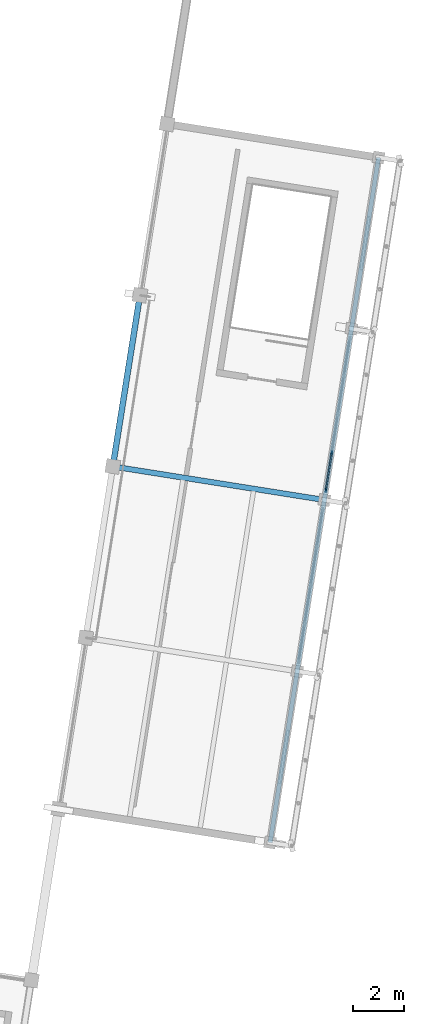
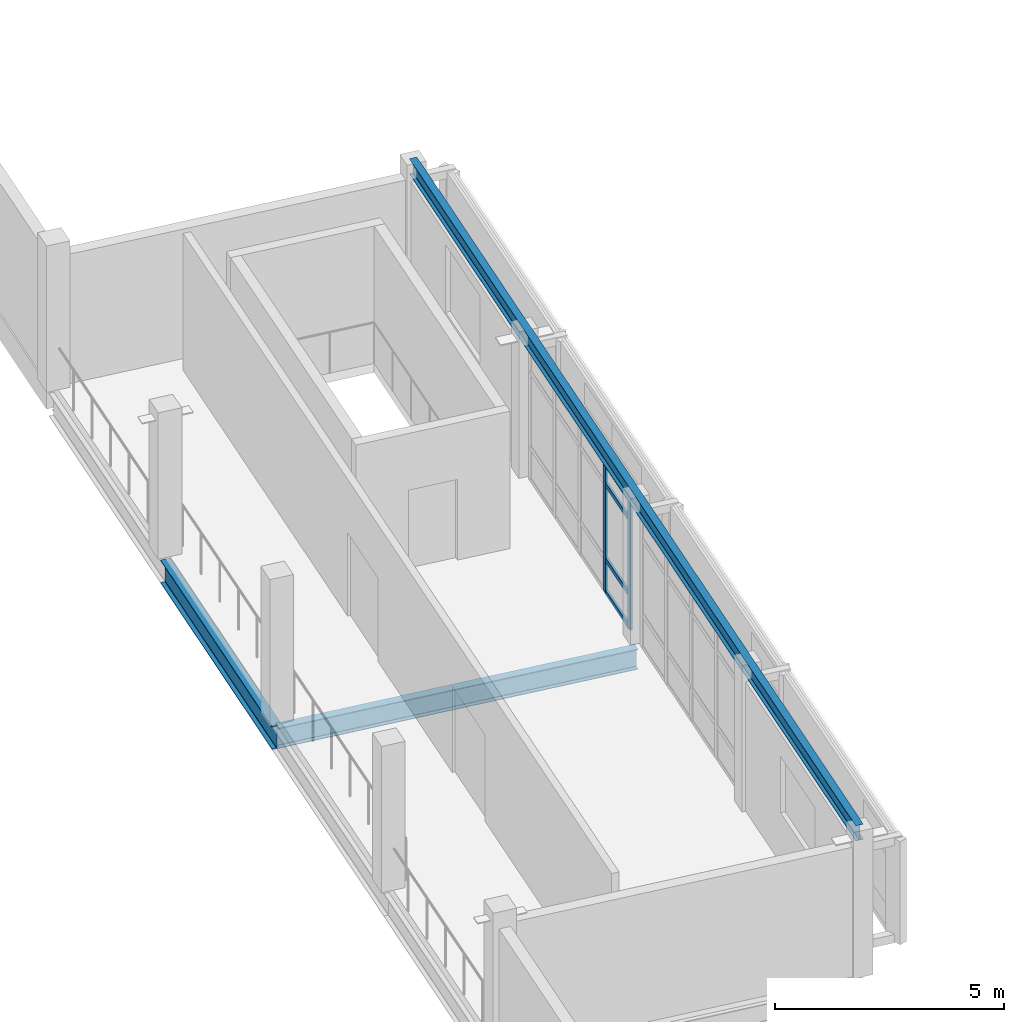
# One storey, part 76 of 117: 6 members, 3 beams, 1 element without a shape of its own.
"""IFC4 building model written with IfcOpenShell, lengths in metres."""

from ifc_helpers import new_model, si_unit, direction, frame, origin, origin_2d, place, context, subcontext, project, spatial, rectangle, i_section, extrude, material, material_profile, profile_set, type_object, element, aggregate, save


model = new_model("IFC4")

# Units and contexts
model_context = context("Model", 3, precision=1e-05, world=origin(), true_north=direction((0.0, 1.0)))
body_context = subcontext(model_context, "Body", "Model", "MODEL_VIEW")
ifc_project = project(units=[si_unit("LENGTHUNIT", "METRE"), si_unit("AREAUNIT", "SQUARE_METRE"), si_unit("VOLUMEUNIT", "CUBIC_METRE"), si_unit("PLANEANGLEUNIT", "RADIAN"), si_unit("MASSUNIT", "GRAM", prefix="KILO")], contexts=[model_context])

# Site, building, storey
site_placement = place(None, origin())
site = spatial("IfcSite", under=ifc_project, at=site_placement, CompositionType="ELEMENT")
building_placement = place(site_placement, origin())
building = spatial("IfcBuilding", under=site, at=building_placement, Name="Cinderway Yard Community Centre", CompositionType="ELEMENT")
storey_placement = place(building_placement, frame((0.0, 0.0, 9.0)))
storey = spatial("IfcBuildingStorey", under=building, at=storey_placement, Name="L02", CompositionType="ELEMENT", Elevation=9.0)

# Curtain wall, members
ifc_material_1 = material(Name="Aluminium 6063-T6", Category="aluminium")
curtain_wall_type = type_object("IfcCurtainWallType", Name="ENV-CW-TYPE-19", PredefinedType="USERDEFINED", material=ifc_material_1)
curtain_wall_placement = place(storey_placement, origin())
curtain_wall = element("IfcCurtainWall", 1, at=curtain_wall_placement, inside=storey, type_object=curtain_wall_type, Name="Fitness East Curtain Wall ENV-CW-L02-ST-0068", ObjectType="GLAZED CURTAIN WALL", PredefinedType="USERDEFINED")
ifc_material_profile_1 = material_profile(ifc_material_1, rectangle(XDim=0.06005859375, YDim=0.159912109375, at=origin_2d()), Name="Aluminium 6063-T6")
ifc_profile_set_1 = profile_set([ifc_material_profile_1], Name="Aluminium 6063-T6")
member_type_1 = type_object("IfcMemberType", Name="ENV-CW-MULL-150", PredefinedType="MULLION", material=ifc_profile_set_1)
member_1_placement = place(storey_placement, frame((150.881591796875, 53.83154296875, 0.0), z_axis=(0.0, 0.0, 1.0), x_axis=(-0.987691073089, 0.156417211778, 0.0)))
member_1 = element("IfcMember", 2, at=member_1_placement, type_object=member_type_1, Name="CW-19 mullion 1", PredefinedType="MULLION", context=body_context, shape_type="SweptSolid", body=[
    extrude(rectangle(XDim=0.06005859375, YDim=0.159912109375, at=origin_2d()), origin(), (0.0, 0.0, 1.0), 3.449951171875),
])
member_2_placement = place(storey_placement, frame((151.115478515625, 55.30810546875, 0.0), z_axis=(0.0, 0.0, 1.0), x_axis=(-0.987691073089, 0.156417211778, 0.0)))
member_2 = element("IfcMember", 3, at=member_2_placement, type_object=member_type_1, Name="CW-19 mullion 2", PredefinedType="MULLION", context=body_context, shape_type="SweptSolid", body=[
    extrude(rectangle(XDim=0.06005859375, YDim=0.159912109375, at=origin_2d()), origin(), (0.0, 0.0, 1.0), 3.449951171875),
])
ifc_material_profile_2 = material_profile(ifc_material_1, rectangle(XDim=0.06005859375, YDim=0.1201171875, at=origin_2d()), Name="Aluminium 6063-T6")
ifc_profile_set_2 = profile_set([ifc_material_profile_2], Name="Aluminium 6063-T6")
member_type_2 = type_object("IfcMemberType", Name="ENV-CW-TRAN-110", PredefinedType="USERDEFINED", material=ifc_profile_set_2)
member_3_placement = place(storey_placement, frame((150.886474609375, 53.861328125, 0.030029296875), z_axis=(0.156390755723, 0.987695262479, 0.0), x_axis=(-0.987695262479, 0.156390755723, 0.0)))
member_3 = element("IfcMember", 4, at=member_3_placement, type_object=member_type_2, Name="CW-19 transom 1.1", ObjectType="TRANSOM", PredefinedType="USERDEFINED", context=body_context, shape_type="SweptSolid", body=[
    extrude(rectangle(XDim=0.06005859375, YDim=0.1201171875, at=origin_2d()), origin(), (0.0, 0.0, 1.0), 1.4345703125),
])
member_4_placement = place(storey_placement, frame((150.886474609375, 53.861328125, 0.89990234375), z_axis=(0.156390755723, 0.987695262479, 0.0), x_axis=(-0.987695262479, 0.156390755723, 0.0)))
member_4 = element("IfcMember", 5, at=member_4_placement, type_object=member_type_2, Name="CW-19 transom 1.2", ObjectType="TRANSOM", PredefinedType="USERDEFINED", context=body_context, shape_type="SweptSolid", body=[
    extrude(rectangle(XDim=0.06005859375, YDim=0.1201171875, at=origin_2d()), origin(), (0.0, 0.0, 1.0), 1.4345703125),
])
member_5_placement = place(storey_placement, frame((150.886474609375, 53.861328125, 2.89990234375), z_axis=(0.156390755723, 0.987695262479, 0.0), x_axis=(-0.987695262479, 0.156390755723, 0.0)))
member_5 = element("IfcMember", 6, at=member_5_placement, type_object=member_type_2, Name="CW-19 transom 1.3", ObjectType="TRANSOM", PredefinedType="USERDEFINED", context=body_context, shape_type="SweptSolid", body=[
    extrude(rectangle(XDim=0.06005859375, YDim=0.1201171875, at=origin_2d()), origin(), (0.0, 0.0, 1.0), 1.4345703125),
])
member_6_placement = place(storey_placement, frame((150.886474609375, 53.861328125, 3.419921875), z_axis=(0.156390755723, 0.987695262479, 0.0), x_axis=(-0.987695262479, 0.156390755723, 0.0)))
member_6 = element("IfcMember", 7, at=member_6_placement, type_object=member_type_2, Name="CW-19 transom 1.4", ObjectType="TRANSOM", PredefinedType="USERDEFINED", context=body_context, shape_type="SweptSolid", body=[
    extrude(rectangle(XDim=0.06005859375, YDim=0.1201171875, at=origin_2d()), origin(), (0.0, 0.0, 1.0), 1.4345703125),
])
aggregate(curtain_wall, [member_1, member_2, member_3, member_4, member_5, member_6])

# Beams
ifc_material_2 = material(Name="Steel S355", Category="steel")
ifc_material_profile_3 = material_profile(ifc_material_2, i_section(OverallWidth=0.178955078125, OverallDepth=0.409912109375, WebThickness=0.0087890625, FlangeThickness=0.013427734375, FilletRadius=0.011962890625, at=origin_2d()), Name="Steel S355")
ifc_profile_set_3 = profile_set([ifc_material_profile_3], Name="Steel S355")
beam_type_1 = type_object("IfcBeamType", Name="STR-BM-W410X67", PredefinedType="JOIST", material=ifc_profile_set_3)
beam_1_placement = place(storey_placement, frame((148.694091796875, 40.02294921875, 3.695068359375), z_axis=(0.156430389672, 0.987688986061, 0.0), x_axis=(-0.987688986061, 0.156430389672, 0.0)))
element("IfcBeam", 8, at=beam_1_placement, inside=storey, type_object=beam_type_1, Name="V2 EAST-BAR ring STR-BM-L02-SJ02-1028", PredefinedType="JOIST", context=body_context, shape_type="SweptSolid", body=[
    extrude(i_section(OverallWidth=0.178955078125, OverallDepth=0.409912109375, WebThickness=0.0087890625, FlangeThickness=0.013427734375, FilletRadius=0.011962890625, at=origin_2d()), origin(), (0.0, 0.0, 1.0), 27.199951171875),
])
ifc_material_profile_4 = material_profile(ifc_material_2, i_section(OverallWidth=0.2109375, OverallDepth=0.5390625, WebThickness=0.010986328125, FlangeThickness=0.017333984375, FilletRadius=0.013916015625, at=origin_2d()), Name="Steel S355")
ifc_profile_set_4 = profile_set([ifc_material_profile_4], Name="Steel S355")
beam_type_2 = type_object("IfcBeamType", Name="STR-BM-W530X109", PredefinedType="BEAM", material=ifc_profile_set_4)
beam_2_placement = place(storey_placement, frame((142.52490234375, 54.77001953125, -0.510009765625), z_axis=(0.987691462154, -0.156414755019, 0.0), x_axis=(0.156414755019, 0.987691462154, 0.0)))
element("IfcBeam", 9, at=beam_2_placement, inside=storey, type_object=beam_type_2, Name="Primary girder STR-BM-L02-SB06-0408", PredefinedType="BEAM", context=body_context, shape_type="SweptSolid", body=[
    extrude(i_section(OverallWidth=0.2109375, OverallDepth=0.5390625, WebThickness=0.010986328125, FlangeThickness=0.017333984375, FilletRadius=0.013916015625, at=origin_2d()), origin(), (0.0, 0.0, 1.0), 8.400634765625),
])
ifc_material_profile_5 = material_profile(ifc_material_2, i_section(OverallWidth=0.22998046875, OverallDepth=0.616943359375, WebThickness=0.011962890625, FlangeThickness=0.01953125, FilletRadius=0.01611328125, at=origin_2d()), Name="Steel S355")
ifc_profile_set_5 = profile_set([ifc_material_profile_5], Name="Steel S355")
beam_type_3 = type_object("IfcBeamType", Name="STR-BM-W610X140", PredefinedType="BEAM", material=ifc_profile_set_5)
beam_3_placement = place(storey_placement, frame((142.52490234375, 54.77001953125, -0.549072265625), z_axis=(0.15650460011, 0.987677229739, 0.0), x_axis=(-0.987677229739, 0.15650460011, 0.0)))
element("IfcBeam", 10, at=beam_3_placement, inside=storey, type_object=beam_type_3, Name="Transverse girder STR-BM-L02-SB05-0412", PredefinedType="BEAM", context=body_context, shape_type="SweptSolid", body=[
    extrude(i_section(OverallWidth=0.22998046875, OverallDepth=0.616943359375, WebThickness=0.011962890625, FlangeThickness=0.01953125, FilletRadius=0.01611328125, at=origin_2d()), origin(), (0.0, 0.0, 1.0), 6.7998046875),
])

save(model, "model.ifc")
